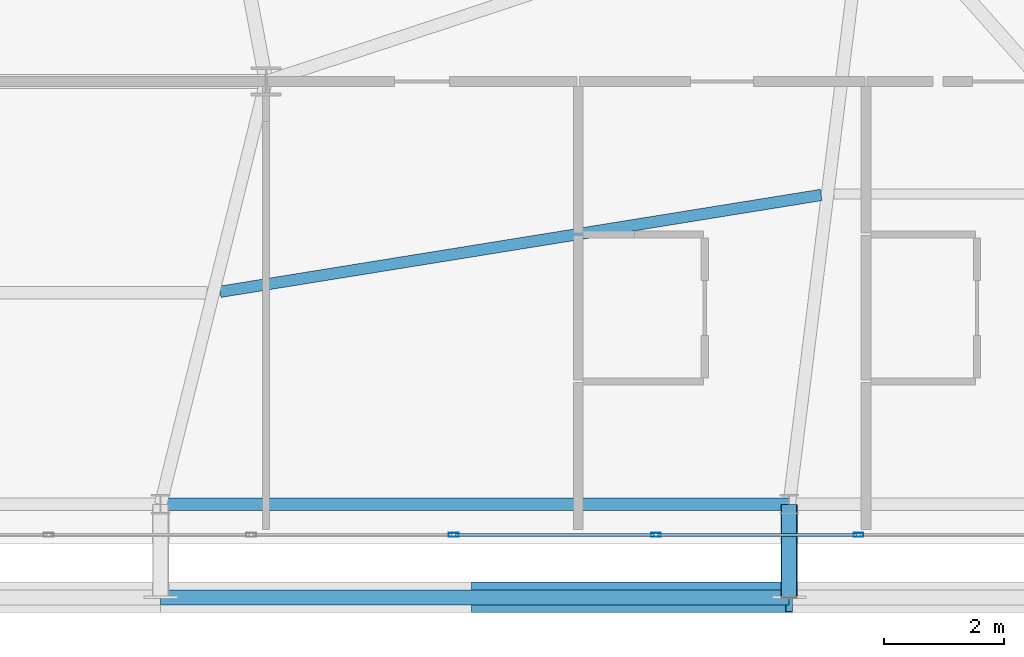
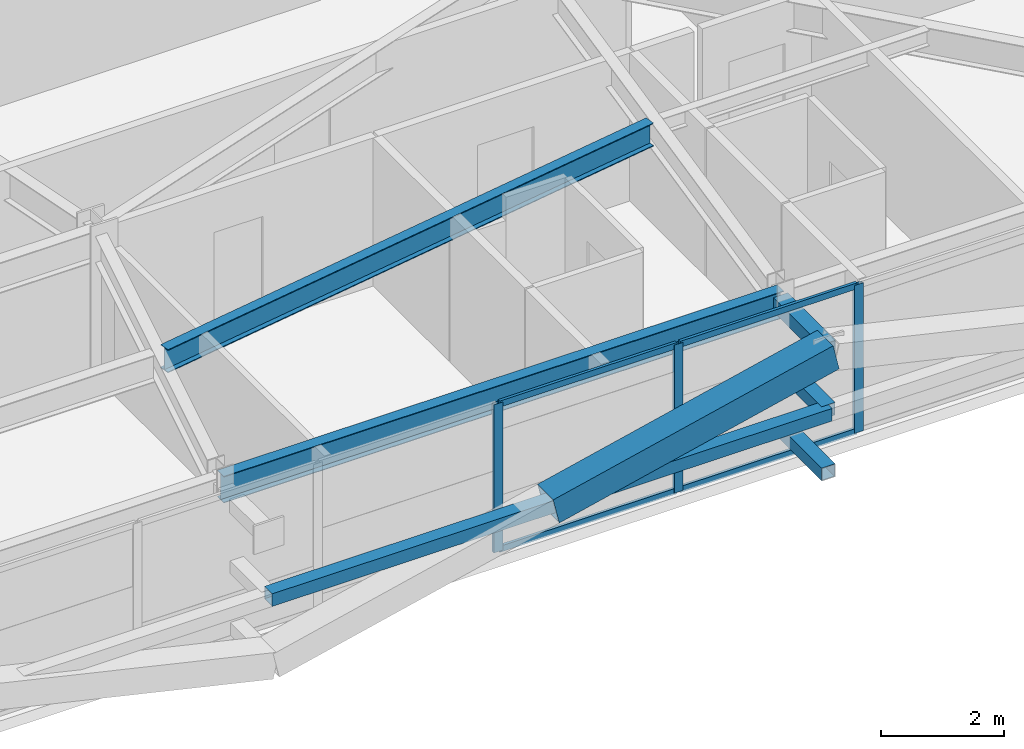
# One storey, part 21 of 59: 12 members, 2 beams, 1 element without a shape of its own.
"""IFC4 building model written with IfcOpenShell, lengths in metres."""

from ifc_helpers import new_model, si_unit, direction, frame, origin, origin_2d, place, context, subcontext, project, spatial, hollow_rectangle, i_section, extrude, source, transform, mapped, material, layer, layer_set, material_profile, profile_set, type_object, element, aggregate, save


model = new_model("IFC4")

# Units and contexts
model_context = context("Model", 3, precision=1e-05, world=origin(), true_north=direction((0.0, 1.0)))
body_context = subcontext(model_context, "Body", "Model", "MODEL_VIEW")
ifc_project = project(units=[si_unit("LENGTHUNIT", "METRE"), si_unit("AREAUNIT", "SQUARE_METRE"), si_unit("VOLUMEUNIT", "CUBIC_METRE"), si_unit("PLANEANGLEUNIT", "RADIAN"), si_unit("MASSUNIT", "GRAM", prefix="KILO")], contexts=[model_context])

# Site, building, storey
site_placement = place(None, origin())
site = spatial("IfcSite", under=ifc_project, at=site_placement, CompositionType="ELEMENT")
building_placement = place(site_placement, origin())
building = spatial("IfcBuilding", under=site, at=building_placement, Name="Taldren Reach Tower", CompositionType="ELEMENT")
storey_placement = place(building_placement, frame((0.0, 0.0, 26.25)))
storey = spatial("IfcBuildingStorey", under=building, at=storey_placement, Name="L07", CompositionType="ELEMENT", Elevation=26.25)

# Beams
ifc_material_1 = material(Name="Steel Gr 350 (350PLUS)", Category="steel")
ifc_material_profile_1 = material_profile(ifc_material_1, i_section(OverallWidth=0.208984375, OverallDepth=0.528076171875, WebThickness=0.009521484375, FlangeThickness=0.01318359375, at=origin_2d()), Name="530UB82.0")
ifc_profile_set_1 = profile_set([ifc_material_profile_1], Name="Steel Gr 350 (350PLUS)")
beam_type_1 = type_object("IfcBeamType", Name="SP-UB530B", PredefinedType="SPANDREL", material=ifc_profile_set_1)
shared_shape_1 = source(origin(), body_context, "Body", "SweptSolid", [
    extrude(i_section(OverallWidth=0.208984375, OverallDepth=0.528076171875, WebThickness=0.009521484375, FlangeThickness=0.01318359375, at=origin_2d()), origin(), (0.0, 0.0, 1.0), 10.47998046875),
])
beam_1_placement = place(storey_placement, frame((40.239990234375, 2.14990234375, 2.666015625), z_axis=(1.0, 0.0, 0.0), x_axis=(0.0, 1.0, 0.0)))
element("IfcBeam", 1, at=beam_1_placement, inside=storey, type_object=beam_type_1, Name="Perimeter spandrel B1 S4-S5 L07", PredefinedType="SPANDREL", context=body_context, shape_type="MappedRepresentation", body=[
    mapped(shared_shape_1, transform((0.0, 0.0, 0.0), scale=1.0)),
])
ifc_material_profile_2 = material_profile(ifc_material_1, i_section(OverallWidth=0.19091796875, OverallDepth=0.4599609375, WebThickness=0.010009765625, FlangeThickness=0.01611328125, at=origin_2d()), Name="460UB82.1")
ifc_profile_set_2 = profile_set([ifc_material_profile_2], Name="Steel Gr 350 (350PLUS)")
beam_type_2 = type_object("IfcBeamType", Name="BM-UB460A", PredefinedType="BEAM", material=ifc_profile_set_2)
shared_shape_2 = source(origin(), body_context, "Body", "SweptSolid", [
    extrude(i_section(OverallWidth=0.19091796875, OverallDepth=0.4599609375, WebThickness=0.010009765625, FlangeThickness=0.01611328125, at=origin_2d()), origin(), (0.0, 0.0, 1.0), 10.1494140625),
])
beam_2_placement = place(storey_placement, frame((41.232177734375, 5.693115234375, 2.699951171875), z_axis=(0.987266967452, 0.159072106224, 0.0), x_axis=(-0.159072106224, 0.987266967452, 0.0)))
element("IfcBeam", 2, at=beam_2_placement, inside=storey, type_object=beam_type_2, Name="Secondary floor beam B1 J4 L07", PredefinedType="BEAM", context=body_context, shape_type="MappedRepresentation", body=[
    mapped(shared_shape_2, transform((0.0, 0.0, 0.0), scale=1.0)),
])

# Members
ifc_material_2 = material(Name="Steel Gr 450 (C450L0)", Category="steel")
ifc_material_profile_3 = material_profile(ifc_material_2, hollow_rectangle(XDim=0.27490234375, YDim=0.27490234375, WallThickness=0.00927734375, at=origin_2d()), Name="275x275x9.3SHS")
ifc_profile_set_3 = profile_set([ifc_material_profile_3], Name="Steel Gr 450 (C450L0)")
member_type_1 = type_object("IfcMemberType", Name="MB-TIE273", PredefinedType="STRUT", material=ifc_profile_set_3)
shared_shape_3 = source(origin(), body_context, "Body", "SweptSolid", [
    extrude(hollow_rectangle(XDim=0.27490234375, YDim=0.27490234375, WallThickness=0.00927734375, at=origin_2d()), origin(), (0.0, 0.0, 1.0), 1.5498046875),
])
member_1_placement = place(storey_placement, frame((50.719970703125, 2.14990234375, 2.64990234375), z_axis=(0.0, -1.0, 0.0), x_axis=(1.0, 0.0, 0.0)))
element("IfcMember", 3, at=member_1_placement, inside=storey, type_object=member_type_1, Name="Exoskeleton diaphragm tie strut B1-S5 L07", PredefinedType="STRUT", context=body_context, shape_type="MappedRepresentation", body=[
    mapped(shared_shape_3, transform((0.0, 0.0, 0.0), scale=1.0)),
])
ifc_material_profile_4 = material_profile(ifc_material_2, hollow_rectangle(XDim=0.510009765625, YDim=0.510009765625, WallThickness=0.02001953125, at=origin_2d()), Name="510x510x20.0SHS")
ifc_profile_set_4 = profile_set([ifc_material_profile_4], Name="Steel Gr 450 (C450L0)")
member_type_2 = type_object("IfcMemberType", Name="MB-EXO508", PredefinedType="BRACE", material=ifc_profile_set_4)
shared_shape_4 = source(origin(), body_context, "Body", "SweptSolid", [
    extrude(hollow_rectangle(XDim=0.510009765625, YDim=0.510009765625, WallThickness=0.02001953125, at=origin_2d()), origin(), (0.0, 0.0, 1.0), 5.37890625),
])
member_2_placement = place(storey_placement, frame((45.47998046875, 0.60009765625, 1.43505859375), z_axis=(0.974161966843, 0.0, 0.225850531007), x_axis=(0.0, 1.0, 0.0)))
element("IfcMember", 4, at=member_2_placement, inside=storey, type_object=member_type_2, Name="Exoskeleton Diagrid Brace B1-S4 L07", PredefinedType="BRACE", context=body_context, shape_type="MappedRepresentation", body=[
    mapped(shared_shape_4, transform((0.0, 0.0, 0.0), scale=1.0)),
])
ifc_material_3 = material(Name="Steel Gr 350 (C350L0)", Category="steel")
ifc_material_profile_5 = material_profile(ifc_material_3, hollow_rectangle(XDim=0.25, YDim=0.25, WallThickness=0.010009765625, at=origin_2d()), Name="250x250x10.0SHS")
ifc_profile_set_5 = profile_set([ifc_material_profile_5], Name="Steel Gr 350 (C350L0)")
member_type_3 = type_object("IfcMemberType", Name="MB-POST250", PredefinedType="POST", material=ifc_profile_set_5)
shared_shape_5 = source(origin(), body_context, "Body", "SweptSolid", [
    extrude(hollow_rectangle(XDim=0.25, YDim=0.25, WallThickness=0.010009765625, at=origin_2d()), origin(), (0.0, 0.0, 1.0), 10.47998046875),
])
member_3_placement = place(storey_placement, frame((40.239990234375, 0.60009765625, 1.43505859375), z_axis=(1.0, 0.0, 0.0), x_axis=(0.0, 1.0, 0.0)))
element("IfcMember", 5, at=member_3_placement, inside=storey, type_object=member_type_3, Name="Exoskeleton mid-height ring chord B1-S4 L07", PredefinedType="POST", context=body_context, shape_type="MappedRepresentation", body=[
    mapped(shared_shape_5, transform((0.0, 0.0, 0.0), scale=1.0)),
])
shared_shape_6 = source(origin(), body_context, "Body", "SweptSolid", [
    extrude(hollow_rectangle(XDim=0.25, YDim=0.25, WallThickness=0.010009765625, at=origin_2d()), origin(), (0.0, 0.0, 1.0), 1.5498046875),
])
for number, where, z_axis, x_axis, name in (
    (6, (50.719970703125, 2.14990234375, 0.219970703125), (0.0, -1.0, 0.0), (1.0, 0.0, 0.0), "Exoskeleton base diaphragm tie strut B1-S5 L07"),
    (7, (50.719970703125, 2.14990234375, 1.43505859375), (0.0, -1.0, 0.0), (1.0, 0.0, 0.0), "Exoskeleton mid-tier diaphragm tie B1-S5 L07"),
):
    element("IfcMember", number, at=place(storey_placement, frame(where, z_axis=z_axis, x_axis=x_axis)), inside=storey, type_object=member_type_3, Name=name, PredefinedType="POST", context=body_context, shape_type="MappedRepresentation", body=[
        mapped(shared_shape_6, transform((0.0, 0.0, 0.0), scale=1.0)),
    ])

# Curtain wall, members
ifc_material_4 = material(Name="Aluminium and Low-E Glass Unitised System", Category="aluminium")
ifc_layer = layer(ifc_material_4, 0.159912109375)
ifc_layer_set = layer_set([ifc_layer], Name="Aluminium and Low-E Glass Unitised System")
curtain_wall_type = type_object("IfcCurtainWallType", Name="CW-SYS-2", PredefinedType="NOTDEFINED", material=ifc_layer_set)
curtain_wall_placement = place(storey_placement, origin())
curtain_wall = element("IfcCurtainWall", 8, at=curtain_wall_placement, inside=storey, type_object=curtain_wall_type, Name="Unitised curtain wall CW-L07-S", PredefinedType="NOTDEFINED")
ifc_material_5 = material(Name="Anodised Aluminium 6063-T6", Category="aluminium")
ifc_material_profile_6 = material_profile(ifc_material_5, hollow_rectangle(XDim=0.06494140625, YDim=0.1650390625, WallThickness=0.00390625, at=origin_2d()), Name="ALU-165x65x4RHS")
ifc_profile_set_6 = profile_set([ifc_material_profile_6], Name="Anodised Aluminium 6063-T6")
member_type_4 = type_object("IfcMemberType", Name="CW-MUL-165", PredefinedType="MULLION", material=ifc_profile_set_6)
shared_shape_7 = source(origin(), body_context, "Body", "SweptSolid", [
    extrude(hollow_rectangle(XDim=0.06494140625, YDim=0.1650390625, WallThickness=0.00390625, at=origin_2d()), origin(), (0.0, 0.0, 1.0), 2.929931640625),
])
member_4_placement = place(storey_placement, frame((45.125, 1.639892578125, 0.0), z_axis=(0.0, 0.0, 1.0), x_axis=(0.0, 1.0, 0.0)))
member_4 = element("IfcMember", 9, at=member_4_placement, type_object=member_type_4, Name="CW-2 mullion 12", PredefinedType="MULLION", context=body_context, shape_type="MappedRepresentation", body=[
    mapped(shared_shape_7, transform((0.0, 0.0, 0.0), scale=1.0)),
])
member_5_placement = place(storey_placement, frame((48.5, 1.639892578125, 0.0), z_axis=(0.0, 0.0, 1.0), x_axis=(0.0, 1.0, 0.0)))
member_5 = element("IfcMember", 10, at=member_5_placement, type_object=member_type_4, Name="CW-2 mullion 13", PredefinedType="MULLION", context=body_context, shape_type="MappedRepresentation", body=[
    mapped(shared_shape_7, transform((0.0, 0.0, 0.0), scale=1.0)),
])
member_6_placement = place(storey_placement, frame((51.875, 1.639892578125, 0.0), z_axis=(0.0, 0.0, 1.0), x_axis=(0.0, 1.0, 0.0)))
member_6 = element("IfcMember", 11, at=member_6_placement, type_object=member_type_4, Name="CW-2 mullion 14", PredefinedType="MULLION", context=body_context, shape_type="MappedRepresentation", body=[
    mapped(shared_shape_7, transform((0.0, 0.0, 0.0), scale=1.0)),
])
ifc_material_profile_7 = material_profile(ifc_material_5, hollow_rectangle(XDim=0.054931640625, YDim=0.1201171875, WallThickness=0.0029296875, at=origin_2d()), Name="ALU-120x55x3RHS")
ifc_profile_set_7 = profile_set([ifc_material_profile_7], Name="Anodised Aluminium 6063-T6")
member_type_5 = type_object("IfcMemberType", Name="CW-TRN-135", PredefinedType="USERDEFINED", material=ifc_profile_set_7)
shared_shape_8 = source(origin(), body_context, "Body", "SweptSolid", [
    extrude(hollow_rectangle(XDim=0.054931640625, YDim=0.1201171875, WallThickness=0.0029296875, at=origin_2d()), origin(), (0.0, 0.0, 1.0), 3.31005859375),
])
member_7_placement = place(storey_placement, frame((45.157470703125, 1.639892578125, 0.027587890625), z_axis=(1.0, 0.0, 0.0), x_axis=(0.0, 1.0, 0.0)))
member_7 = element("IfcMember", 12, at=member_7_placement, type_object=member_type_5, Name="CW-2 transom 12.1", ObjectType="TRANSOM", PredefinedType="USERDEFINED", context=body_context, shape_type="MappedRepresentation", body=[
    mapped(shared_shape_8, transform((0.0, 0.0, 0.0), scale=1.0)),
])
member_8_placement = place(storey_placement, frame((45.157470703125, 1.639892578125, 2.902587890625), z_axis=(1.0, 0.0, 0.0), x_axis=(0.0, 1.0, 0.0)))
member_8 = element("IfcMember", 13, at=member_8_placement, type_object=member_type_5, Name="CW-2 transom 12.2", ObjectType="TRANSOM", PredefinedType="USERDEFINED", context=body_context, shape_type="MappedRepresentation", body=[
    mapped(shared_shape_8, transform((0.0, 0.0, 0.0), scale=1.0)),
])
member_9_placement = place(storey_placement, frame((48.532470703125, 1.639892578125, 0.027587890625), z_axis=(1.0, 0.0, 0.0), x_axis=(0.0, 1.0, 0.0)))
member_9 = element("IfcMember", 14, at=member_9_placement, type_object=member_type_5, Name="CW-2 transom 13.1", ObjectType="TRANSOM", PredefinedType="USERDEFINED", context=body_context, shape_type="MappedRepresentation", body=[
    mapped(shared_shape_8, transform((0.0, 0.0, 0.0), scale=1.0)),
])
member_10_placement = place(storey_placement, frame((48.532470703125, 1.639892578125, 2.902587890625), z_axis=(1.0, 0.0, 0.0), x_axis=(0.0, 1.0, 0.0)))
member_10 = element("IfcMember", 15, at=member_10_placement, type_object=member_type_5, Name="CW-2 transom 13.2", ObjectType="TRANSOM", PredefinedType="USERDEFINED", context=body_context, shape_type="MappedRepresentation", body=[
    mapped(shared_shape_8, transform((0.0, 0.0, 0.0), scale=1.0)),
])
aggregate(curtain_wall, [member_4, member_5, member_6, member_7, member_8, member_9, member_10])

save(model, "model.ifc")
